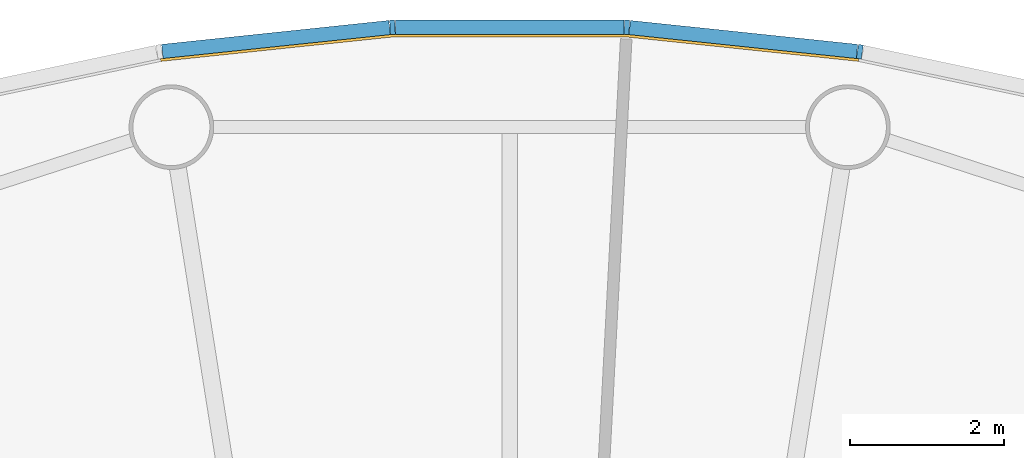
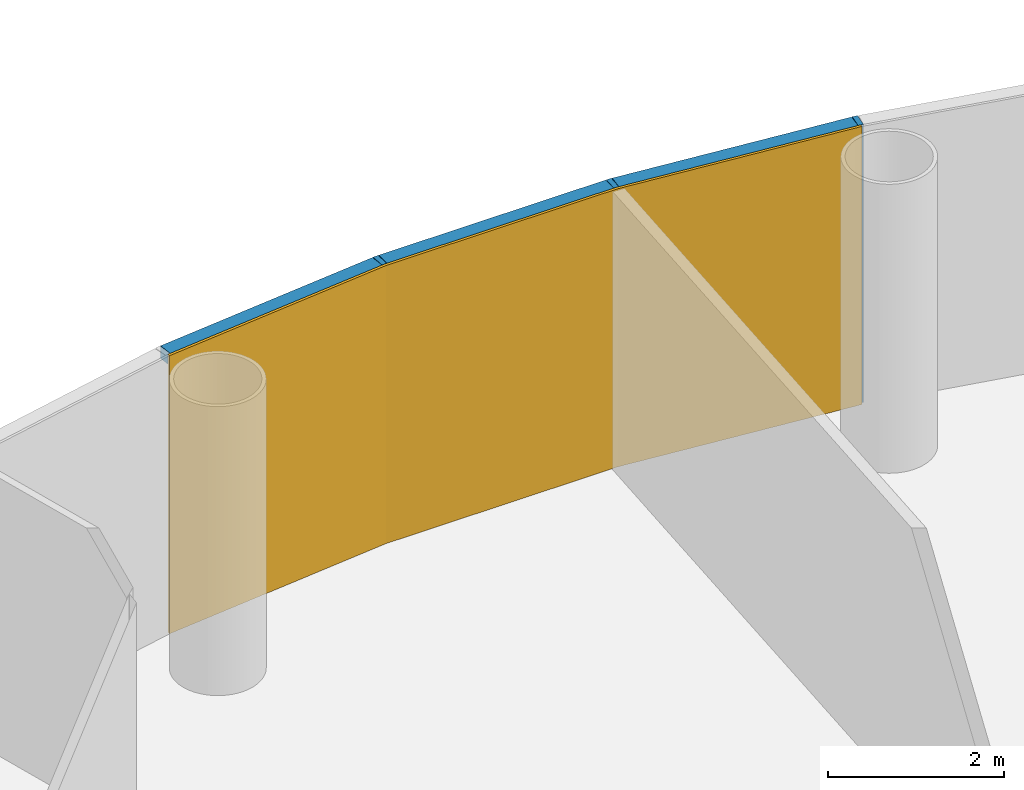
# One storey, part 11 of 13: 6 members, 1 curtain wall.
"""IFC4 building model written with IfcOpenShell, lengths in metres."""

import ifcopenshell
import ifcopenshell.guid

model = None  # the IFC model being written
_history = None  # IfcOwnerHistory: only IFC2X3 demands one
_inside = {}  # id of a spatial element -> (the spatial element, [elements in it])
_under = {}  # id of a project, library or spatial element -> (it, [spatial elements below it])
_declared = {}  # id of a project -> (the project, [libraries it declares])
_typed = {}  # id of a type object -> (the type object, [elements of that type])
_made_of = {}  # id of a material, layer set ... -> (it, [elements and type objects made of it])


def new_model(schema):
    """Start an empty IFC model of exactly this schema.

    Asked for "IFC4X3", IfcOpenShell would pick the latest addendum, in which some entities
    have other attributes; the version numbers below select the first issue.
    IFC2X3 requires an IfcOwnerHistory on every rooted entity: one is made here for all.
    """
    global model, _history
    if schema == "IFC4X3":
        model = ifcopenshell.file(schema_version=(4, 3, 0, 0))
    else:
        model = ifcopenshell.file(schema=schema)
    _inside.clear()
    _under.clear()
    _declared.clear()
    _typed.clear()
    _made_of.clear()
    _history = None
    if model.schema == "IFC2X3":
        org = make("IfcOrganization", Name="unknown")
        user = make(
            "IfcPersonAndOrganization",
            ThePerson=make("IfcPerson", FamilyName="unknown"),
            TheOrganization=org,
        )
        app = make(
            "IfcApplication",
            ApplicationDeveloper=org,
            Version="unknown",
            ApplicationFullName="unknown",
            ApplicationIdentifier="unknown",
        )
        _history = make(
            "IfcOwnerHistory",
            OwningUser=user,
            OwningApplication=app,
            ChangeAction="ADDED",
            CreationDate=0,
        )
    return model


def make(cls, **values):
    """One entity of the class cls with the attributes given. An attribute that is None is left unset."""
    return model.create_entity(
        cls, **{name: value for name, value in values.items() if value is not None}
    )


def rooted(cls, **values):
    """An entity with a GlobalId (a new one), such as an element, a storey or a relation."""
    return make(cls, GlobalId=ifcopenshell.guid.new(), OwnerHistory=_history, **values)


def si_unit(unit_type, name, prefix=None):
    """IfcSIUnit, for example si_unit("LENGTHUNIT", "METRE", prefix="MILLI")."""
    return make("IfcSIUnit", UnitType=unit_type, Prefix=prefix, Name=name)


def assignment(units):
    """IfcUnitAssignment: the units of a project."""
    return None if units is None else make("IfcUnitAssignment", Units=units)


def point(xyz):
    """IfcCartesianPoint."""
    return None if xyz is None else make("IfcCartesianPoint", Coordinates=xyz)


def direction(xyz):
    """IfcDirection."""
    return None if xyz is None else make("IfcDirection", DirectionRatios=xyz)


def frame(location, z_axis=None, x_axis=None):
    """IfcAxis2Placement3D, a coordinate frame: its origin and axes. An axis left out is left unset."""
    return make(
        "IfcAxis2Placement3D",
        Location=point(location),
        Axis=direction(z_axis),
        RefDirection=direction(x_axis),
    )


def frame_2d(location, x_axis=None):
    """IfcAxis2Placement2D, a coordinate frame in the plane: its origin and x axis."""
    return make(
        "IfcAxis2Placement2D", Location=point(location), RefDirection=direction(x_axis)
    )


def origin():
    """The frame at (0, 0, 0) with its axes left unset."""
    return frame((0.0, 0.0, 0.0))


def origin_2d():
    """The frame at (0, 0) in the plane with its x axis left unset."""
    return frame_2d((0.0, 0.0))


def place(relative_to, where):
    """IfcLocalPlacement: puts the frame where relative to a parent placement (None: the world)."""
    return make(
        "IfcLocalPlacement", PlacementRelTo=relative_to, RelativePlacement=where
    )


def context(
    kind, dimensions, precision=None, world=None, true_north=None, identifier=None
):
    """IfcGeometricRepresentationContext, for example the 3D "Model" context."""
    return make(
        "IfcGeometricRepresentationContext",
        ContextIdentifier=identifier,
        ContextType=kind,
        CoordinateSpaceDimension=dimensions,
        Precision=precision,
        WorldCoordinateSystem=world,
        TrueNorth=true_north,
    )


def subcontext(parent, identifier, kind, view, scale=None):
    """IfcGeometricRepresentationSubContext, for example "Body" below "Model"."""
    return make(
        "IfcGeometricRepresentationSubContext",
        ContextIdentifier=identifier,
        ContextType=kind,
        ParentContext=parent,
        TargetScale=scale,
        TargetView=view,
    )


def project(units=None, contexts=None):
    """IfcProject with its units and contexts."""
    return rooted(
        "IfcProject",
        Name="project",
        RepresentationContexts=contexts,
        UnitsInContext=assignment(units),
    )


def spatial(cls, under=None, at=None, **own):
    """A site, building, storey or space (cls), placed at a placement, below another one or the project."""
    s = rooted(cls, ObjectPlacement=at, **own)
    if under is not None:
        _under.setdefault(under.id(), (under, []))[1].append(s)
    return s


def polyline(points):
    """IfcPolyline through the points."""
    return make("IfcPolyline", Points=[point(p) for p in points])


def profile(cls, at=None, kind="AREA", **sizes):
    """A parametric profile (cls). Its sizes go by their IFC names, for example OverallWidth=200.0."""
    return make(cls, ProfileType=kind, Position=at, **sizes)


def rectangle(**sizes):
    """IfcRectangleProfileDef."""
    return profile("IfcRectangleProfileDef", **sizes)


def outline(outer, holes=None, kind="AREA"):
    """IfcArbitraryClosedProfileDef: a profile drawn as a closed curve; with holes, ...WithVoids."""
    if holes is None:
        return make("IfcArbitraryClosedProfileDef", ProfileType=kind, OuterCurve=outer)
    return make(
        "IfcArbitraryProfileDefWithVoids",
        ProfileType=kind,
        OuterCurve=outer,
        InnerCurves=holes,
    )


def extrude(swept, where, along, depth):
    """IfcExtrudedAreaSolid: the profile swept, set in the frame where, extruded along a direction by depth."""
    return make(
        "IfcExtrudedAreaSolid",
        SweptArea=swept,
        Position=where,
        ExtrudedDirection=direction(along),
        Depth=depth,
    )


def shape(context_of_items, identifier, shape_type, items):
    """IfcShapeRepresentation: the items that make up one representation, for example the "Body"."""
    return make(
        "IfcShapeRepresentation",
        ContextOfItems=context_of_items,
        RepresentationIdentifier=identifier,
        RepresentationType=shape_type,
        Items=items,
    )


def material(Name=None, Category=None):
    """IfcMaterial."""
    return make("IfcMaterial", Name=Name, Category=Category)


def layer(
    of_material, thickness, ventilated=None, Name=None, Category=None, Priority=None
):
    """IfcMaterialLayer: one layer of a wall or slab, of a material (None: an air gap)."""
    return make(
        "IfcMaterialLayer",
        Material=of_material,
        LayerThickness=thickness,
        IsVentilated=ventilated,
        Name=Name,
        Category=Category,
        Priority=Priority,
    )


def layer_set(layers, Name=None):
    """IfcMaterialLayerSet."""
    return make("IfcMaterialLayerSet", MaterialLayers=layers, LayerSetName=Name)


def material_profile(
    of_material, cross_section, Name=None, Category=None, Priority=None
):
    """IfcMaterialProfile: a cross section and its material."""
    return make(
        "IfcMaterialProfile",
        Name=Name,
        Material=of_material,
        Profile=cross_section,
        Priority=Priority,
        Category=Category,
    )


def profile_set(profiles, Name=None, composite=None):
    """IfcMaterialProfileSet."""
    return make(
        "IfcMaterialProfileSet",
        Name=Name,
        MaterialProfiles=profiles,
        CompositeProfile=composite,
    )


def made_of(thing, what):
    """Note that an element or type object is made of a material, layer set ...; save() writes the relation."""
    if what is not None:
        _made_of.setdefault(what.id(), (what, []))[1].append(thing)
    return thing


def type_object(cls, material=None, **own):
    """A type object (cls), such as IfcWallType, which elements share."""
    return made_of(rooted(cls, **own), material)


def element(
    cls,
    number,
    at=None,
    inside=None,
    cuts=None,
    type_object=None,
    material=None,
    context=None,
    identifier="Body",
    shape_type=None,
    held_by="IfcProductDefinitionShape",
    body=None,
    shapes=None,
    **own,
):
    """One element of the class cls, such as IfcWall. Its Tag is "e" and its number.

    at: its placement. inside: the storey or other place that contains it. cuts: it is an
    opening in that element (IfcRelVoidsElement). A single representation is given by context,
    identifier, shape_type and body (its items); several are given by shapes. held_by: the class
    of the entity that holds the representations. save() writes the other relations.
    """
    e = rooted(cls, Tag="e%d" % number, ObjectPlacement=at, **own)
    if body is not None:
        shapes = [shape(context, identifier, shape_type, body)]
    if shapes is not None:
        e.Representation = make(held_by, Representations=shapes)
    if inside is not None:
        _inside.setdefault(inside.id(), (inside, []))[1].append(e)
    if cuts is not None:
        rooted(
            "IfcRelVoidsElement", RelatingBuildingElement=cuts, RelatedOpeningElement=e
        )
    if type_object is not None:
        _typed.setdefault(type_object.id(), (type_object, []))[1].append(e)
    return made_of(e, material)


def aggregate(whole, parts):
    """IfcRelAggregates: a whole, such as a stair, and the parts it consists of."""
    return rooted("IfcRelAggregates", RelatingObject=whole, RelatedObjects=parts)


def save(model, path):
    """Write the relations noted so far, then the file.

    IfcRelAggregates (storeys below a building ...), IfcRelContainedInSpatialStructure (elements
    in a storey), IfcRelDefinesByType, IfcRelAssociatesMaterial and IfcRelDeclares: one each for
    every whole, place, type object, material and project.
    """
    for whole, parts in _under.values():
        aggregate(whole, parts)
    for where, things in _inside.values():
        rooted(
            "IfcRelContainedInSpatialStructure",
            RelatedElements=things,
            RelatingStructure=where,
        )
    for kind, things in _typed.values():
        rooted("IfcRelDefinesByType", RelatedObjects=things, RelatingType=kind)
    for what, things in _made_of.values():
        rooted("IfcRelAssociatesMaterial", RelatedObjects=things, RelatingMaterial=what)
    for by, libraries in _declared.values():
        rooted("IfcRelDeclares", RelatingContext=by, RelatedDefinitions=libraries)
    model.write(path)


model = new_model("IFC4")

# Units and contexts
model_context = context("Model", 3, precision=1e-05, world=origin(), true_north=direction((0.0, 1.0)))
body_context = subcontext(model_context, "Body", "Model", "MODEL_VIEW")
ifc_project = project(units=[si_unit("LENGTHUNIT", "METRE"), si_unit("AREAUNIT", "SQUARE_METRE"), si_unit("VOLUMEUNIT", "CUBIC_METRE"), si_unit("PLANEANGLEUNIT", "RADIAN"), si_unit("MASSUNIT", "GRAM", prefix="KILO")], contexts=[model_context])

# Member
ifc_material_1 = material(Name="Anodised aluminium", Category="aluminium")
ifc_material_profile_1 = material_profile(ifc_material_1, rectangle(XDim=0.06494140625, YDim=0.18505859375, at=origin_2d()), Name="Mullion 65 x 185 mm anodised aluminium")
ifc_profile_set_1 = profile_set([ifc_material_profile_1], Name="Anodised aluminium")
member_type_1 = type_object("IfcMemberType", Name="Mullion 65 x 185 mm anodised aluminium", PredefinedType="MULLION", material=ifc_profile_set_1)
site_placement = place(None, origin())
building_placement = place(site_placement, origin())
storey_placement = place(building_placement, frame((0.0, 0.0, 168.0)))
member_1_placement = place(storey_placement, frame((94.551025390625, 108.734375, 0.0), z_axis=(0.0, 0.0, 1.0), x_axis=(-0.987688340595, 0.15643446504, 0.0)))
member_1 = element("IfcMember", 1, at=member_1_placement, type_object=member_type_1, Name="MULLION L38-12", PredefinedType="MULLION", context=body_context, shape_type="SweptSolid", body=[
    extrude(rectangle(XDim=0.06494140625, YDim=0.18505859375, at=origin_2d()), origin(), (0.0, 0.0, 1.0), 3.85009765625),
])

member_2_placement = place(storey_placement, frame((91.522705078125, 109.052734375, 0.0), z_axis=(0.0, 0.0, 1.0), x_axis=(-0.998629534755, 0.052335956243, 0.0)))
member_2 = element("IfcMember", 2, at=member_2_placement, type_object=member_type_1, Name="MULLION L38-13", PredefinedType="MULLION", context=body_context, shape_type="SweptSolid", body=[
    extrude(rectangle(XDim=0.06494140625, YDim=0.18505859375, at=origin_2d()), origin(), (0.0, 0.0, 1.0), 3.85009765625),
])

member_3_placement = place(storey_placement, frame((88.477294921875, 109.052734375, 0.0), z_axis=(0.0, 0.0, 1.0), x_axis=(-0.998629534755, -0.052335956243, 0.0)))
member_3 = element("IfcMember", 3, at=member_3_placement, type_object=member_type_1, Name="MULLION L38-14", PredefinedType="MULLION", context=body_context, shape_type="SweptSolid", body=[
    extrude(rectangle(XDim=0.06494140625, YDim=0.18505859375, at=origin_2d()), origin(), (0.0, 0.0, 1.0), 3.85009765625),
])

ifc_material_2 = material(Name="Anodised aluminium", Category="aluminium")
ifc_material_profile_2 = material_profile(ifc_material_2, rectangle(XDim=0.18505859375, YDim=0.175048828125, at=origin_2d()), Name="Transom 175 x 185 mm anodised aluminium")
ifc_profile_set_2 = profile_set([ifc_material_profile_2], Name="Anodised aluminium")
member_type_2 = type_object("IfcMemberType", Name="Transom 175 x 185 mm anodised aluminium", PredefinedType="USERDEFINED", material=ifc_profile_set_2)
member_4_placement = place(storey_placement, frame((94.513916015625, 108.73828125, 3.762451171875), z_axis=(-0.994519855197, 0.104547872381, 0.0), x_axis=(-0.104547872381, -0.994519855197, 0.0)))
member_4 = element("IfcMember", 4, at=member_4_placement, type_object=member_type_2, Name="TRANSOM L38-12", ObjectType="TRANSOM", PredefinedType="USERDEFINED", context=body_context, shape_type="SweptSolid", body=[
    extrude(rectangle(XDim=0.18505859375, YDim=0.175048828125, at=origin_2d()), origin(), (0.0, 0.0, 1.0), 2.970458984375),
])

member_5_placement = place(storey_placement, frame((91.4853515625, 109.052734375, 3.762451171875), z_axis=(-1.0, 0.0, 0.0), x_axis=(0.0, -1.0, 0.0)))
member_5 = element("IfcMember", 5, at=member_5_placement, type_object=member_type_2, Name="TRANSOM L38-13", ObjectType="TRANSOM", PredefinedType="USERDEFINED", context=body_context, shape_type="SweptSolid", body=[
    extrude(rectangle(XDim=0.18505859375, YDim=0.175048828125, at=origin_2d()), origin(), (0.0, 0.0, 1.0), 2.970703125),
])

member_6_placement = place(storey_placement, frame((88.440185546875, 109.048828125, 3.762451171875), z_axis=(-0.994519855197, -0.104547872381, 0.0), x_axis=(0.104547872381, -0.994519855197, 0.0)))
member_6 = element("IfcMember", 6, at=member_6_placement, type_object=member_type_2, Name="TRANSOM L38-14", ObjectType="TRANSOM", PredefinedType="USERDEFINED", context=body_context, shape_type="SweptSolid", body=[
    extrude(rectangle(XDim=0.18505859375, YDim=0.175048828125, at=origin_2d()), origin(), (0.0, 0.0, 1.0), 2.970458984375),
])

# Site, building, storey
site = spatial("IfcSite", under=ifc_project, at=site_placement, CompositionType="ELEMENT")
building = spatial("IfcBuilding", under=site, at=building_placement, Name="Entoto Ring Tower", CompositionType="ELEMENT")
storey = spatial("IfcBuildingStorey", under=building, at=storey_placement, Name="L38", CompositionType="ELEMENT", Elevation=168.0)

# Curtain wall
ifc_material_3 = material(Name="Clear low-iron glass", Category="glass")
ifc_layer = layer(ifc_material_3, 0.033935546875)
ifc_layer_set = layer_set([ifc_layer], Name="Clear low-iron glass")
curtain_wall_type = type_object("IfcCurtainWallType", Name="Curtain wall system CW3 glazing 34 mm", PredefinedType="NOTDEFINED", material=ifc_layer_set)
curtain_wall_placement = place(storey_placement, origin())
curtain_wall = element("IfcCurtainWall", 7, at=curtain_wall_placement, inside=storey, type_object=curtain_wall_type, Name="CW3 L38-05", PredefinedType="NOTDEFINED", context=body_context, shape_type="SweptSolid", body=[
    extrude(outline(polyline([(94.53662109375, 108.64306640625), (91.517822265625, 108.960205078125), (88.482177734375, 108.960205078125), (85.46337890625, 108.64306640625), (85.46875, 108.609375), (88.484130859375, 108.92626953125), (91.515869140625, 108.92626953125), (94.53125, 108.609375), (94.53662109375, 108.64306640625)])), origin(), (0.0, 0.0, 1.0), 3.85009765625),
])

aggregate(curtain_wall, [member_1, member_2, member_3, member_4, member_5, member_6])

save(model, "model.ifc")
